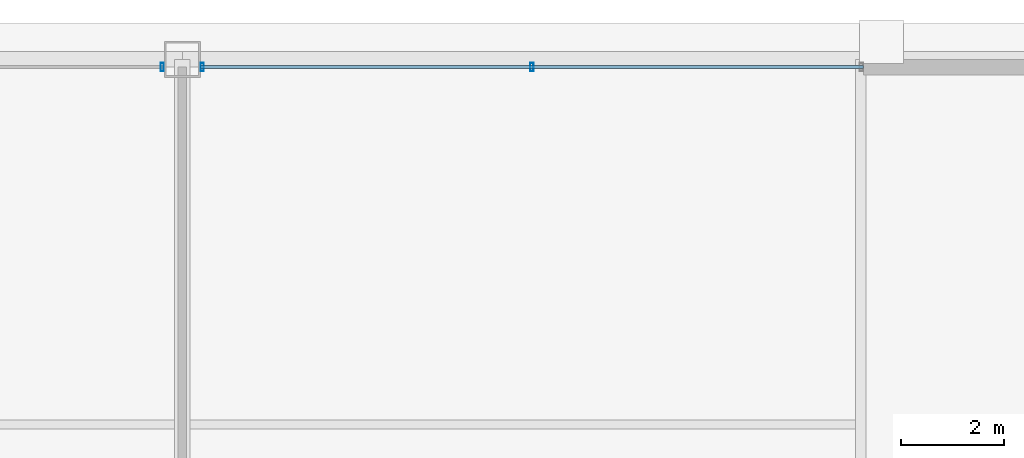
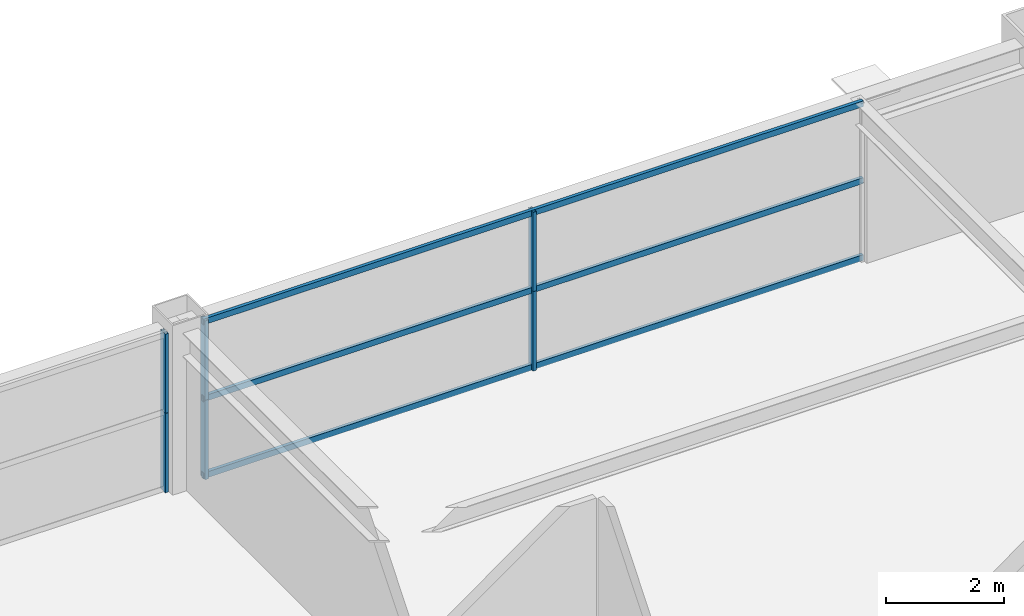
# One storey, part 28 of 36: 9 members, 2 elements without a shape of their own.
"""IFC4 building model written with IfcOpenShell, lengths in metres."""

from ifc_helpers import new_model, si_unit, direction, frame, origin, origin_2d, place, context, subcontext, project, spatial, hollow_rectangle, extrude, source, transform, mapped, material, layer, layer_set, material_profile, profile_set, type_object, element, aggregate, save


model = new_model("IFC4")

# Units and contexts
model_context = context("Model", 3, precision=1e-05, world=origin(), true_north=direction((0.0, 1.0)))
body_context = subcontext(model_context, "Body", "Model", "MODEL_VIEW")
ifc_project = project(units=[si_unit("LENGTHUNIT", "METRE"), si_unit("AREAUNIT", "SQUARE_METRE"), si_unit("VOLUMEUNIT", "CUBIC_METRE"), si_unit("PLANEANGLEUNIT", "RADIAN"), si_unit("MASSUNIT", "GRAM", prefix="KILO"), si_unit("THERMODYNAMICTEMPERATUREUNIT", "KELVIN"), si_unit("POWERUNIT", "WATT")], contexts=[model_context])

# Site, building, storey
site_placement = place(None, origin())
site = spatial("IfcSite", under=ifc_project, at=site_placement, CompositionType="ELEMENT")
building_placement = place(site_placement, origin())
building = spatial("IfcBuilding", under=site, at=building_placement, Name="Yuzanri Waterfront Tower", CompositionType="ELEMENT")
storey_placement = place(building_placement, frame((0.0, 0.0, 224.10009765625)))
storey = spatial("IfcBuildingStorey", under=building, at=storey_placement, Name="L59", CompositionType="ELEMENT", Elevation=224.10009765625)

# Curtain wall, members
ifc_material_1 = material(Name="Anodized Architectural Bronze", Category="metal")
ifc_layer = layer(ifc_material_1, 0.159912109375)
ifc_layer_set = layer_set([ifc_layer], Name="Anodized Architectural Bronze")
curtain_wall_type = type_object("IfcCurtainWallType", Name="Anodized Bronze Mid-Rise Residential Acoustic Unitized Curtain Wall 7200", PredefinedType="NOTDEFINED", material=ifc_layer_set)
curtain_wall_1_placement = place(storey_placement, origin())
curtain_wall_1 = element("IfcCurtainWall", 1, at=curtain_wall_1_placement, inside=storey, type_object=curtain_wall_type, Name="L59 Curtain Wall CW-L59-NL", PredefinedType="NOTDEFINED")
ifc_material_2 = material(Name="Anodized Architectural Bronze", Category="metal")
ifc_material_profile_1 = material_profile(ifc_material_2, hollow_rectangle(XDim=0.06494140625, YDim=0.159912109375, WallThickness=0.00341796875, at=origin_2d()), Name="CWM 65x160")
ifc_profile_set_1 = profile_set([ifc_material_profile_1], Name="Anodized Architectural Bronze")
member_type_1 = type_object("IfcMemberType", Name="Anodized Bronze Upper-Zone Curtain-Wall Mullion 65x160", PredefinedType="MULLION", material=ifc_profile_set_1)
shared_shape_1 = source(origin(), body_context, "Body", "SweptSolid", [
    extrude(hollow_rectangle(XDim=0.06494140625, YDim=0.159912109375, WallThickness=0.00341796875, at=origin_2d()), origin(), (0.0, 0.0, 1.0), 1.637939453125),
])
member_1_placement = place(storey_placement, frame((36.610107421875, 46.25, 0.0), z_axis=(0.0, 0.0, 1.0), x_axis=(1.0, 0.0, 0.0)))
member_1 = element("IfcMember", 2, at=member_1_placement, type_object=member_type_1, Name="CW-L59-NL Lower Mullion 02", PredefinedType="MULLION", context=body_context, shape_type="MappedRepresentation", body=[
    mapped(shared_shape_1, transform((0.0, 0.0, 0.0), scale=1.0)),
])
member_2_placement = place(storey_placement, frame((36.610107421875, 46.25, 1.641845703125), z_axis=(0.0, 0.0, 1.0), x_axis=(1.0, 0.0, 0.0)))
member_2 = element("IfcMember", 3, at=member_2_placement, type_object=member_type_1, Name="CW-L59-NL Upper Mullion 02", PredefinedType="MULLION", context=body_context, shape_type="MappedRepresentation", body=[
    mapped(shared_shape_1, transform((0.0, 0.0, 0.0), scale=1.0)),
])
aggregate(curtain_wall_1, [member_1, member_2])

curtain_wall_2_placement = place(storey_placement, origin())
curtain_wall_2 = element("IfcCurtainWall", 4, at=curtain_wall_2_placement, inside=storey, type_object=curtain_wall_type, Name="L59 Curtain Wall CW-L59-NR", PredefinedType="NOTDEFINED")
member_3_placement = place(storey_placement, frame((37.389892578125, 46.25, 0.0), z_axis=(0.0, 0.0, 1.0), x_axis=(1.0, 0.0, 0.0)))
member_3 = element("IfcMember", 5, at=member_3_placement, type_object=member_type_1, Name="CW-L59-NR Lower Mullion 00", PredefinedType="MULLION", context=body_context, shape_type="MappedRepresentation", body=[
    mapped(shared_shape_1, transform((0.0, 0.0, 0.0), scale=1.0)),
])
member_4_placement = place(storey_placement, frame((37.389892578125, 46.25, 1.641845703125), z_axis=(0.0, 0.0, 1.0), x_axis=(1.0, 0.0, 0.0)))
member_4 = element("IfcMember", 6, at=member_4_placement, type_object=member_type_1, Name="CW-L59-NR Upper Mullion 00", PredefinedType="MULLION", context=body_context, shape_type="MappedRepresentation", body=[
    mapped(shared_shape_1, transform((0.0, 0.0, 0.0), scale=1.0)),
])
member_5_placement = place(storey_placement, frame((43.800048828125, 46.25, 0.0), z_axis=(0.0, 0.0, 1.0), x_axis=(1.0, 0.0, 0.0)))
member_5 = element("IfcMember", 7, at=member_5_placement, type_object=member_type_1, Name="CW-L59-NR Lower Mullion 01", PredefinedType="MULLION", context=body_context, shape_type="MappedRepresentation", body=[
    mapped(shared_shape_1, transform((0.0, 0.0, 0.0), scale=1.0)),
])
member_6_placement = place(storey_placement, frame((43.800048828125, 46.25, 1.641845703125), z_axis=(0.0, 0.0, 1.0), x_axis=(1.0, 0.0, 0.0)))
member_6 = element("IfcMember", 8, at=member_6_placement, type_object=member_type_1, Name="CW-L59-NR Upper Mullion 01", PredefinedType="MULLION", context=body_context, shape_type="MappedRepresentation", body=[
    mapped(shared_shape_1, transform((0.0, 0.0, 0.0), scale=1.0)),
])
ifc_material_3 = material(Name="Anodized Architectural Bronze", Category="metal")
ifc_material_profile_2 = material_profile(ifc_material_3, hollow_rectangle(XDim=0.06494140625, YDim=0.1201171875, WallThickness=0.00341796875, at=origin_2d()), Name="CWT 65x120")
ifc_profile_set_2 = profile_set([ifc_material_profile_2], Name="Anodized Architectural Bronze")
member_type_2 = type_object("IfcMemberType", Name="Anodized Bronze Secondary Curtain-Wall Transom 65x120", PredefinedType="USERDEFINED", material=ifc_profile_set_2)
shared_shape_2 = source(origin(), body_context, "Body", "SweptSolid", [
    extrude(hollow_rectangle(XDim=0.06494140625, YDim=0.1201171875, WallThickness=0.00341796875, at=origin_2d()), origin(), (0.0, 0.0, 1.0), 12.89990234375),
])
member_7_placement = place(storey_placement, frame((37.35009765625, 46.25, 0.0498046875), z_axis=(1.0, 0.0, 0.0), x_axis=(0.0, 1.0, 0.0)))
member_7 = element("IfcMember", 9, at=member_7_placement, type_object=member_type_2, Name="CW-L59-NR Transom 1", ObjectType="TRANSOM", PredefinedType="USERDEFINED", context=body_context, shape_type="MappedRepresentation", body=[
    mapped(shared_shape_2, transform((0.0, 0.0, 0.0), scale=1.0)),
])
member_8_placement = place(storey_placement, frame((37.35009765625, 46.25, 1.639892578125), z_axis=(1.0, 0.0, 0.0), x_axis=(0.0, 1.0, 0.0)))
member_8 = element("IfcMember", 10, at=member_8_placement, type_object=member_type_2, Name="CW-L59-NR Transom 2", ObjectType="TRANSOM", PredefinedType="USERDEFINED", context=body_context, shape_type="MappedRepresentation", body=[
    mapped(shared_shape_2, transform((0.0, 0.0, 0.0), scale=1.0)),
])
member_9_placement = place(storey_placement, frame((37.35009765625, 46.25, 3.22998046875), z_axis=(1.0, 0.0, 0.0), x_axis=(0.0, 1.0, 0.0)))
member_9 = element("IfcMember", 11, at=member_9_placement, type_object=member_type_2, Name="CW-L59-NR Transom 3", ObjectType="TRANSOM", PredefinedType="USERDEFINED", context=body_context, shape_type="MappedRepresentation", body=[
    mapped(shared_shape_2, transform((0.0, 0.0, 0.0), scale=1.0)),
])
aggregate(curtain_wall_2, [member_3, member_4, member_5, member_6, member_7, member_8, member_9])

save(model, "model.ifc")
